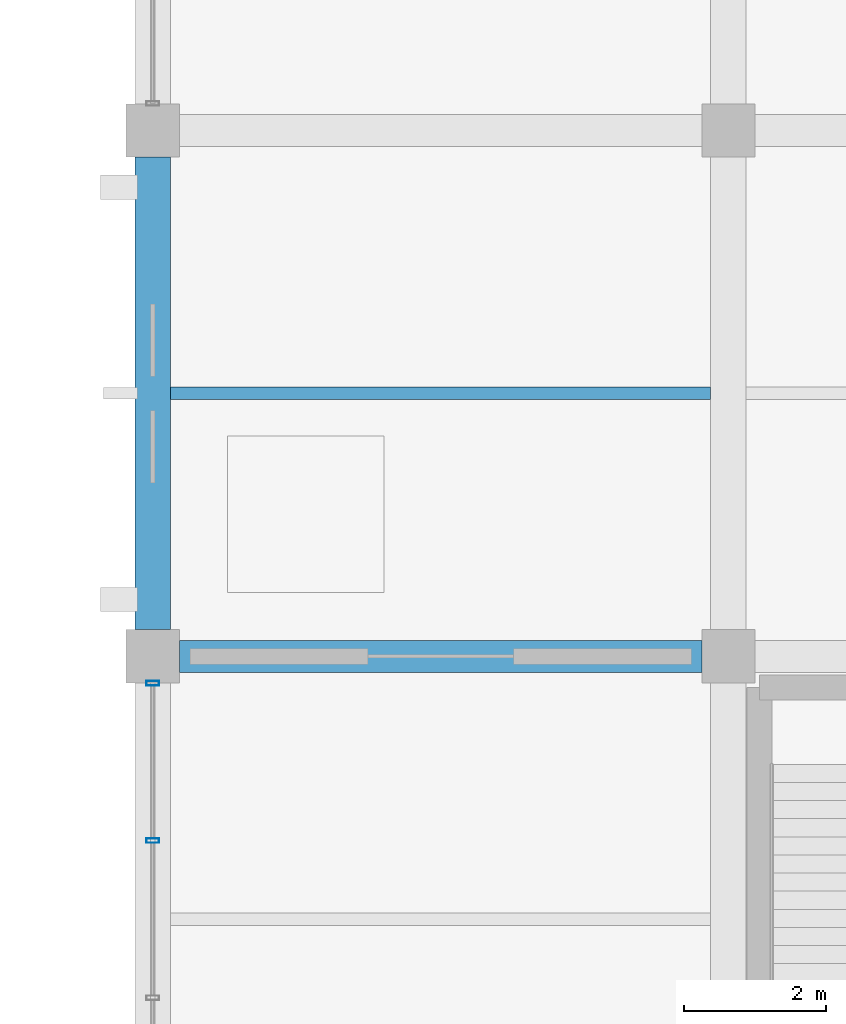
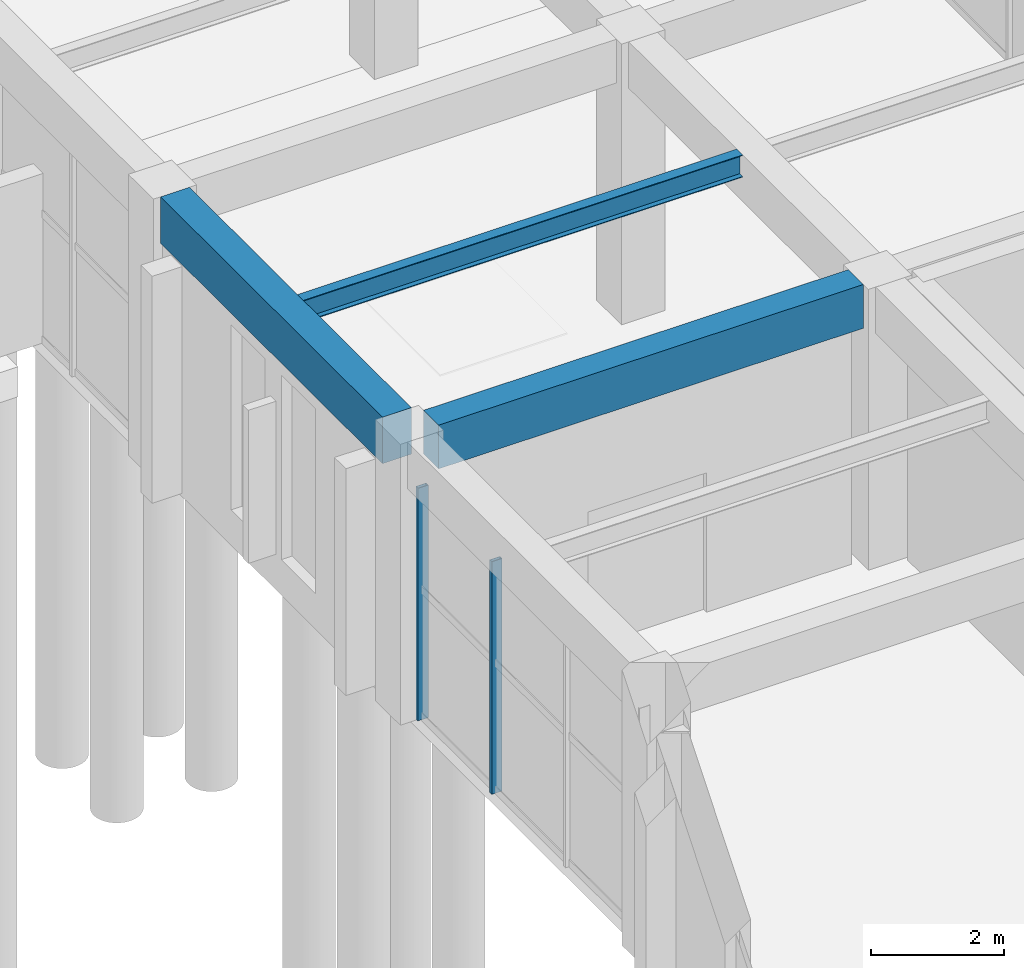
# One storey, part 24 of 140: 3 beams, 2 members, 1 element without a shape of its own.
"""IFC4 building model written with IfcOpenShell, lengths in metres."""

from ifc_helpers import new_model, si_unit, direction, frame, origin, origin_2d, place, context, subcontext, project, spatial, rectangle, hollow_rectangle, i_section, extrude, material, material_profile, profile_set, type_object, element, aggregate, save


model = new_model("IFC4")

# Units and contexts
model_context = context("Model", 3, precision=1e-05, world=origin(), true_north=direction((0.0, 1.0)))
body_context = subcontext(model_context, "Body", "Model", "MODEL_VIEW")
ifc_project = project(units=[si_unit("LENGTHUNIT", "METRE"), si_unit("AREAUNIT", "SQUARE_METRE"), si_unit("VOLUMEUNIT", "CUBIC_METRE"), si_unit("PLANEANGLEUNIT", "RADIAN"), si_unit("MASSUNIT", "GRAM", prefix="KILO")], contexts=[model_context])

# Site, building, storey
site_placement = place(None, origin())
site = spatial("IfcSite", under=ifc_project, at=site_placement, CompositionType="ELEMENT")
building_placement = place(site_placement, origin())
building = spatial("IfcBuilding", under=site, at=building_placement, Name="Cimatlan Art Gallery", CompositionType="ELEMENT")
storey_placement = place(building_placement, origin())
storey = spatial("IfcBuildingStorey", under=building, at=storey_placement, Name="L00", CompositionType="ELEMENT", Elevation=0.0)

# Beams
ifc_material_1 = material(Name="Concrete C40/50", Category="concrete")
ifc_material_profile_1 = material_profile(ifc_material_1, rectangle(XDim=0.449951171875, YDim=0.800048828125, at=origin_2d()), Name="RC450X800")
ifc_profile_set_1 = profile_set([ifc_material_profile_1], Name="Concrete C40/50")
beam_type_1 = type_object("IfcBeamType", Name="BM-RC-450X800", PredefinedType="BEAM", material=ifc_profile_set_1)
beam_1_placement = place(storey_placement, frame((34.77490234375, 60.89990234375, 4.735107421875), z_axis=(1.0, 0.0, 0.0), x_axis=(0.0, 1.0, 0.0)))
element("IfcBeam", 1, at=beam_1_placement, inside=storey, type_object=beam_type_1, Name="BM-X-L00-04-08", PredefinedType="BEAM", context=body_context, shape_type="SweptSolid", body=[
    extrude(rectangle(XDim=0.449951171875, YDim=0.800048828125, at=origin_2d()), origin(), (0.0, 0.0, 1.0), 7.35009765625),
])
ifc_material_profile_2 = material_profile(ifc_material_1, rectangle(XDim=0.5, YDim=0.85009765625, at=origin_2d()), Name="RC500X850")
ifc_profile_set_2 = profile_set([ifc_material_profile_2], Name="Concrete C40/50")
beam_type_2 = type_object("IfcBeamType", Name="BM-RC-500X850", PredefinedType="BEAM", material=ifc_profile_set_2)
beam_2_placement = place(storey_placement, frame((34.39990234375, 61.27490234375, 4.7099609375), z_axis=(0.0, 1.0, 0.0), x_axis=(-1.0, 0.0, 0.0)))
element("IfcBeam", 2, at=beam_2_placement, inside=storey, type_object=beam_type_2, Name="BM-Y-L00-04-08", PredefinedType="BEAM", context=body_context, shape_type="SweptSolid", body=[
    extrude(rectangle(XDim=0.5, YDim=0.85009765625, at=origin_2d()), origin(), (0.0, 0.0, 1.0), 6.650146484375),
])
ifc_material_2 = material(Name="Steel ASTM A992 Grade 50", Category="steel")
ifc_material_profile_3 = material_profile(ifc_material_2, i_section(OverallWidth=0.177978515625, OverallDepth=0.406982421875, WebThickness=0.0078125, FlangeThickness=0.0126953125, at=origin_2d()), Name="W16X40")
ifc_profile_set_3 = profile_set([ifc_material_profile_3], Name="Steel ASTM A992 Grade 50")
beam_type_3 = type_object("IfcBeamType", Name="BM-STL-W16X40", PredefinedType="JOIST", material=ifc_profile_set_3)
beam_3_placement = place(storey_placement, frame((34.64990234375, 64.60009765625, 4.931396484375), z_axis=(1.0, 0.0, 0.0), x_axis=(0.0, 1.0, 0.0)))
element("IfcBeam", 3, at=beam_3_placement, inside=storey, type_object=beam_type_3, Name="JST-L00-04-08", PredefinedType="JOIST", context=body_context, shape_type="SweptSolid", body=[
    extrude(i_section(OverallWidth=0.177978515625, OverallDepth=0.406982421875, WebThickness=0.0078125, FlangeThickness=0.0126953125, at=origin_2d()), origin(), (0.0, 0.0, 1.0), 7.60009765625),
])

# Curtain wall, members
ifc_material_3 = material(Name="Anodised bronze unitised curtain wall")
curtain_wall_type = type_object("IfcCurtainWallType", Name="CW-V-06642X04255-B3", PredefinedType="NOTDEFINED", material=ifc_material_3)
curtain_wall_placement = place(storey_placement, origin())
curtain_wall = element("IfcCurtainWall", 4, at=curtain_wall_placement, inside=storey, type_object=curtain_wall_type, Name="CW-L00-04-07-W", PredefinedType="NOTDEFINED")
ifc_material_4 = material(Name="Anodised bronze aluminium 6063-T6", Category="aluminium")
ifc_material_profile_4 = material_profile(ifc_material_4, hollow_rectangle(XDim=0.06494140625, YDim=0.179931640625, WallThickness=0.00390625, at=origin_2d()), Name="ALU65X180X4")
ifc_profile_set_4 = profile_set([ifc_material_profile_4], Name="Anodised bronze aluminium 6063-T6")
member_type = type_object("IfcMemberType", Name="CW-MUL-180", PredefinedType="MULLION", material=ifc_profile_set_4)
member_1_placement = place(storey_placement, frame((34.39990234375, 58.306884765625, 0.0), z_axis=(0.0, 0.0, 1.0), x_axis=(0.0, 1.0, 0.0)))
member_1 = element("IfcMember", 5, at=member_1_placement, type_object=member_type, Name="CW-L00-04-07-W-M3", PredefinedType="MULLION", context=body_context, shape_type="SweptSolid", body=[
    extrude(hollow_rectangle(XDim=0.06494140625, YDim=0.179931640625, WallThickness=0.00390625, at=origin_2d()), origin(), (0.0, 0.0, 1.0), 4.2548828125),
])
member_2_placement = place(storey_placement, frame((34.39990234375, 60.52099609375, 0.0), z_axis=(0.0, 0.0, 1.0), x_axis=(0.0, 1.0, 0.0)))
member_2 = element("IfcMember", 6, at=member_2_placement, type_object=member_type, Name="CW-L00-04-07-W-M4", PredefinedType="MULLION", context=body_context, shape_type="SweptSolid", body=[
    extrude(hollow_rectangle(XDim=0.06494140625, YDim=0.179931640625, WallThickness=0.00390625, at=origin_2d()), origin(), (0.0, 0.0, 1.0), 4.2548828125),
])
aggregate(curtain_wall, [member_1, member_2])

save(model, "model.ifc")
